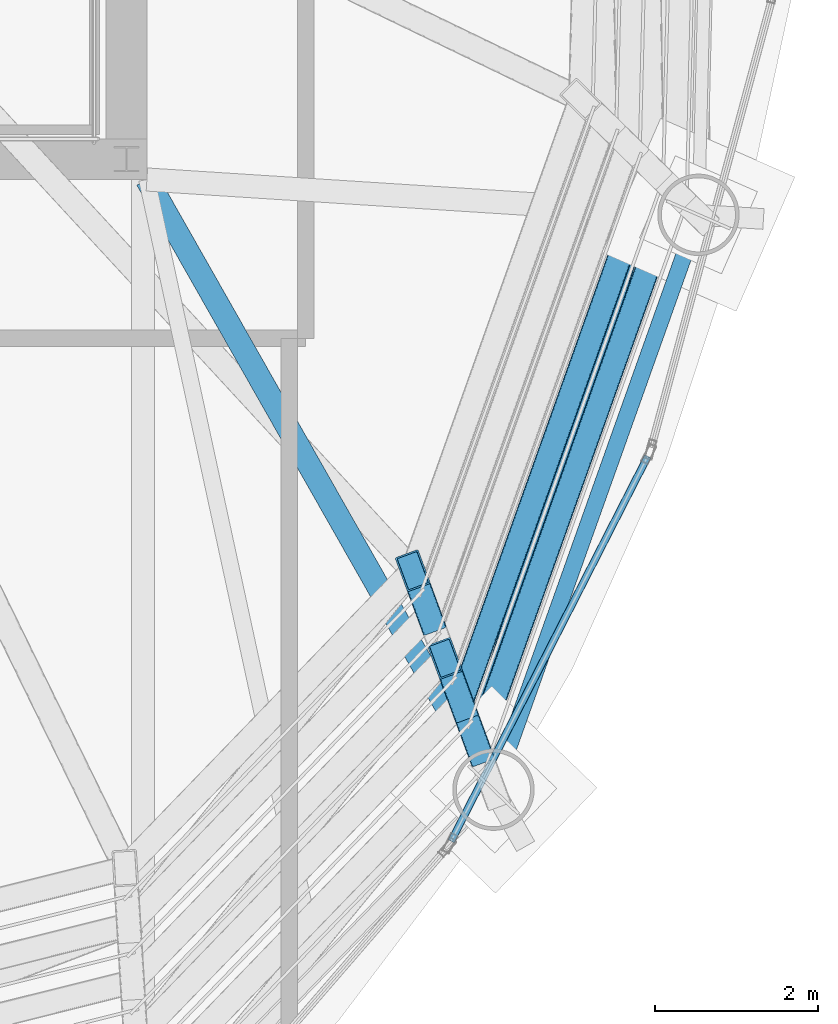
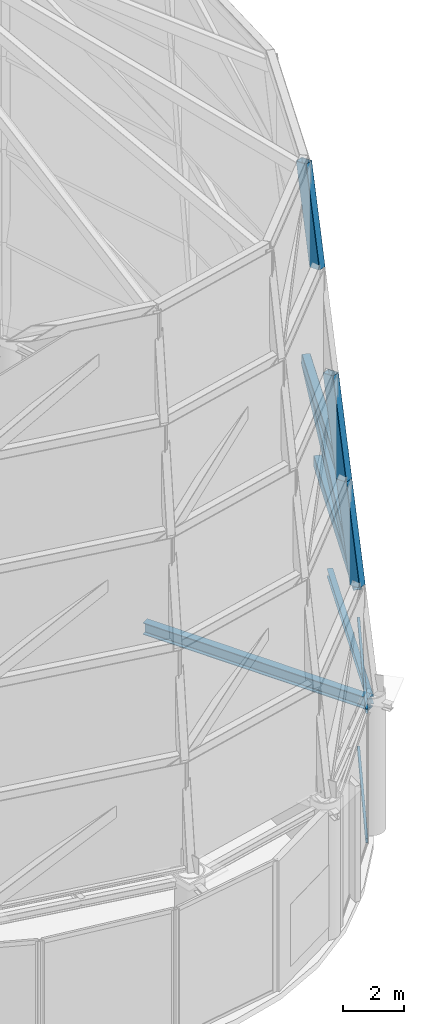
# One storey, part 16 of 40: 8 members, 2 beams, 1 element without a shape of its own.
"""IFC4 building model written with IfcOpenShell, lengths in metres."""

from ifc_helpers import new_model, si_unit, direction, frame, origin, origin_2d, place, context, subcontext, project, spatial, hollow_rectangle, i_section, extrude, material, layer, layer_set, material_profile, profile_set, type_object, element, aggregate, save


model = new_model("IFC4")

# Units and contexts
model_context = context("Model", 3, precision=1e-05, world=origin(), true_north=direction((0.0, 1.0)))
body_context = subcontext(model_context, "Body", "Model", "MODEL_VIEW")
ifc_project = project(units=[si_unit("LENGTHUNIT", "METRE"), si_unit("AREAUNIT", "SQUARE_METRE"), si_unit("VOLUMEUNIT", "CUBIC_METRE"), si_unit("PLANEANGLEUNIT", "RADIAN"), si_unit("MASSUNIT", "GRAM", prefix="KILO")], contexts=[model_context])

# Site, building, storey
site_placement = place(None, origin())
site = spatial("IfcSite", under=ifc_project, at=site_placement, CompositionType="ELEMENT")
building_placement = place(site_placement, origin())
building = spatial("IfcBuilding", under=site, at=building_placement, Name="Bramvorn Convention Spire", CompositionType="ELEMENT")
storey_placement = place(building_placement, frame((0.0, 0.0, 312.5)))
storey = spatial("IfcBuildingStorey", under=building, at=storey_placement, Name="L79", CompositionType="ELEMENT", Elevation=312.5)

# Beams
ifc_material_1 = material(Name="Steel CSA G40.21 Grade 350 (350W)", Category="steel")
ifc_material_profile_1 = material_profile(ifc_material_1, i_section(OverallWidth=0.202880859375, OverallDepth=0.302978515625, WebThickness=0.007568359375, FlangeThickness=0.01318359375, FilletRadius=0.013916015625, at=origin_2d()))
ifc_profile_set_1 = profile_set([ifc_material_profile_1], Name="Steel CSA G40.21 Grade 350 (350W) - W310X60")
beam_type_1 = type_object("IfcBeamType", Name="BM-W310X60", PredefinedType="JOIST", material=ifc_profile_set_1)
beam_1_placement = place(storey_placement, frame((53.50634765625, 11.05615234375, 5.098388671875), z_axis=(0.335839090413, 0.941919373063, 0.0), x_axis=(-0.941919373063, 0.335839090413, 0.0)))
element("IfcBeam", 1, at=beam_1_placement, inside=storey, type_object=beam_type_1, Name="L79 mega-column ring beam 02", PredefinedType="JOIST", context=body_context, shape_type="SweptSolid", body=[
    extrude(i_section(OverallWidth=0.202880859375, OverallDepth=0.302978515625, WebThickness=0.007568359375, FlangeThickness=0.01318359375, FilletRadius=0.013916015625, at=origin_2d()), origin(), (0.0, 0.0, 1.0), 7.49560546875),
])
ifc_material_profile_2 = material_profile(ifc_material_1, i_section(OverallWidth=0.283935546875, OverallDepth=0.47607421875, WebThickness=0.014892578125, FlangeThickness=0.02392578125, FilletRadius=0.01806640625, at=origin_2d()))
ifc_profile_set_2 = profile_set([ifc_material_profile_2], Name="Steel CSA G40.21 Grade 350 (350W) - W460X158")
beam_type_2 = type_object("IfcBeamType", Name="BM-W460X158", PredefinedType="SPANDREL", material=ifc_profile_set_2)
beam_2_placement = place(storey_placement, frame((49.25, 18.550048828125, 5.011962890625), z_axis=(0.493873612118, -0.869533699895, 0.0), x_axis=(0.869533699895, 0.493873612118, 0.0)))
element("IfcBeam", 2, at=beam_2_placement, inside=storey, type_object=beam_type_2, Name="L79 radial floor girder MC02", PredefinedType="SPANDREL", context=body_context, shape_type="SweptSolid", body=[
    extrude(i_section(OverallWidth=0.283935546875, OverallDepth=0.47607421875, WebThickness=0.014892578125, FlangeThickness=0.02392578125, FilletRadius=0.01806640625, at=origin_2d()), origin(), (0.0, 0.0, 1.0), 8.618408203125),
])

# Curtain wall, members
ifc_material_2 = material(Name="Anodised Bronze Unitised Curtain Wall", Category="aluminium")
ifc_layer = layer(ifc_material_2, 0.199951171875)
ifc_layer_set = layer_set([ifc_layer], Name="Anodised Bronze Unitised Curtain Wall - CW-CROWN-SPIRE")
curtain_wall_type = type_object("IfcCurtainWallType", Name="CW-CROWN-SPIRE", PredefinedType="USERDEFINED", material=ifc_layer_set)
curtain_wall_placement = place(storey_placement, origin())
curtain_wall = element("IfcCurtainWall", 3, at=curtain_wall_placement, inside=storey, type_object=curtain_wall_type, Name="L79 fritted glass curtain wall 03", ObjectType="UNITISED CURTAIN WALL", PredefinedType="USERDEFINED")
ifc_material_3 = material(Name="Anodised Bronze Aluminium 6063-T6", Category="aluminium")
ifc_material_profile_3 = material_profile(ifc_material_3, hollow_rectangle(XDim=0.090087890625, YDim=0.179931640625, WallThickness=0.00439453125, InnerFilletRadius=0.0009765625, OuterFilletRadius=0.00439453125, at=origin_2d()))
ifc_profile_set_3 = profile_set([ifc_material_profile_3], Name="Anodised Bronze Aluminium 6063-T6 - CWT90X180")
member_type_1 = type_object("IfcMemberType", Name="CW-TRN-180", PredefinedType="USERDEFINED", material=ifc_profile_set_3)
member_1_placement = place(storey_placement, frame((55.401611328125, 15.150146484375, 0.030029296875), z_axis=(-0.454961120268, -0.890511302031, 0.0), x_axis=(0.890511302031, -0.454961120268, 0.0)))
member_1 = element("IfcMember", 4, at=member_1_placement, type_object=member_type_1, Name="CW6 transom 1.1", ObjectType="TRANSOM", PredefinedType="USERDEFINED", context=body_context, shape_type="SweptSolid", body=[
    extrude(hollow_rectangle(XDim=0.090087890625, YDim=0.179931640625, WallThickness=0.00439453125, InnerFilletRadius=0.0009765625, OuterFilletRadius=0.00439453125, at=origin_2d()), origin(), (0.0, 0.0, 1.0), 5.3076171875),
])
member_2_placement = place(storey_placement, frame((55.401611328125, 15.150146484375, 5.219970703125), z_axis=(-0.454961120268, -0.890511302031, 0.0), x_axis=(0.890511302031, -0.454961120268, 0.0)))
member_2 = element("IfcMember", 5, at=member_2_placement, type_object=member_type_1, Name="CW6 transom 1.2", ObjectType="TRANSOM", PredefinedType="USERDEFINED", context=body_context, shape_type="SweptSolid", body=[
    extrude(hollow_rectangle(XDim=0.090087890625, YDim=0.179931640625, WallThickness=0.00439453125, InnerFilletRadius=0.0009765625, OuterFilletRadius=0.00439453125, at=origin_2d()), origin(), (0.0, 0.0, 1.0), 5.3076171875),
])
aggregate(curtain_wall, [member_1, member_2])

# Members
ifc_material_profile_4 = material_profile(ifc_material_1, hollow_rectangle(XDim=0.300048828125, YDim=0.449951171875, WallThickness=0.02001953125, InnerFilletRadius=0.00390625, OuterFilletRadius=0.02392578125, at=origin_2d()))
ifc_profile_set_4 = profile_set([ifc_material_profile_4], Name="Steel CSA G40.21 Grade 350 (350W) - CROWN450X300X20")
member_type_2 = type_object("IfcMemberType", Name="MBR-CROWN450X300X20", PredefinedType="USERDEFINED", material=ifc_profile_set_4)
member_3_placement = place(storey_placement, frame((53.30810546875, 11.59423828125, 9.5), z_axis=(0.335844067981, 0.941917598308, 0.0), x_axis=(-0.941917598308, 0.335844067981, 0.0)))
element("IfcMember", 6, at=member_3_placement, inside=storey, type_object=member_type_2, Name="Crown spire CROWN FRAME ring beam T1-02", ObjectType="CROWN FRAME", PredefinedType="USERDEFINED", context=body_context, shape_type="SweptSolid", body=[
    extrude(hollow_rectangle(XDim=0.300048828125, YDim=0.449951171875, WallThickness=0.02001953125, InnerFilletRadius=0.00390625, OuterFilletRadius=0.02392578125, at=origin_2d()), origin(), (0.0, 0.0, 1.0), 7.225830078125),
])
member_4_placement = place(storey_placement, frame((53.30810546875, 11.59423828125, 9.5), z_axis=(-0.049059368662, 0.13310072557, 0.989887556846), x_axis=(-0.93829220453, -0.345843517966, 0.0)))
element("IfcMember", 7, at=member_4_placement, inside=storey, type_object=member_type_2, Name="Crown spire CROWN FRAME rib T2-02", ObjectType="CROWN FRAME", PredefinedType="USERDEFINED", context=body_context, shape_type="SweptSolid", body=[
    extrude(hollow_rectangle(XDim=0.300048828125, YDim=0.449951171875, WallThickness=0.02001953125, InnerFilletRadius=0.00390625, OuterFilletRadius=0.02392578125, at=origin_2d()), origin(), (0.0, 0.0, 1.0), 4.040771484375),
])
member_5_placement = place(storey_placement, frame((53.10986328125, 12.132080078125, 13.5), z_axis=(0.335849431675, 0.941915685846, 0.0), x_axis=(-0.941915685846, 0.335849431675, 0.0)))
element("IfcMember", 8, at=member_5_placement, inside=storey, type_object=member_type_2, Name="Crown spire CROWN FRAME ring beam T2-02", ObjectType="CROWN FRAME", PredefinedType="USERDEFINED", context=body_context, shape_type="SweptSolid", body=[
    extrude(hollow_rectangle(XDim=0.300048828125, YDim=0.449951171875, WallThickness=0.02001953125, InnerFilletRadius=0.00390625, OuterFilletRadius=0.02392578125, at=origin_2d()), origin(), (0.0, 0.0, 1.0), 6.9560546875),
])
member_6_placement = place(storey_placement, frame((53.30810546875, 11.59423828125, 9.5), z_axis=(0.254019077648, 0.842379126971, 0.47525962866), x_axis=(-0.957416987667, 0.288708697004, 0.0)))
element("IfcMember", 9, at=member_6_placement, inside=storey, type_object=member_type_2, Name="Crown spire CROWN FRAME wind brace T2-02", ObjectType="CROWN FRAME", PredefinedType="USERDEFINED", context=body_context, shape_type="SweptSolid", body=[
    extrude(hollow_rectangle(XDim=0.300048828125, YDim=0.449951171875, WallThickness=0.02001953125, InnerFilletRadius=0.00390625, OuterFilletRadius=0.02392578125, at=origin_2d()), origin(), (0.0, 0.0, 1.0), 8.41650390625),
])
for number, where, z_axis, x_axis, name in (
    (10, (53.10986328125, 12.132080078125, 13.5), (-0.049058974058, 0.133160072443, 0.989879594785), (-0.938343116817, -0.345705358827, 0.0), "Crown spire CROWN FRAME rib T3-02"),
    (11, (52.71337890625, 13.2080078125, 21.5), (-0.049058974058, 0.133160072443, 0.989879594785), (-0.938343116817, -0.345705358827, 0.0), "Crown spire CROWN FRAME rib T5-02"),
):
    element("IfcMember", number, at=place(storey_placement, frame(where, z_axis=z_axis, x_axis=x_axis)), inside=storey, type_object=member_type_2, Name=name, ObjectType="CROWN FRAME", PredefinedType="USERDEFINED", context=body_context, shape_type="SweptSolid", body=[
        extrude(hollow_rectangle(XDim=0.300048828125, YDim=0.449951171875, WallThickness=0.02001953125, InnerFilletRadius=0.00390625, OuterFilletRadius=0.02392578125, at=origin_2d()), origin(), (0.0, 0.0, 1.0), 4.041015625),
    ])

save(model, "model.ifc")
